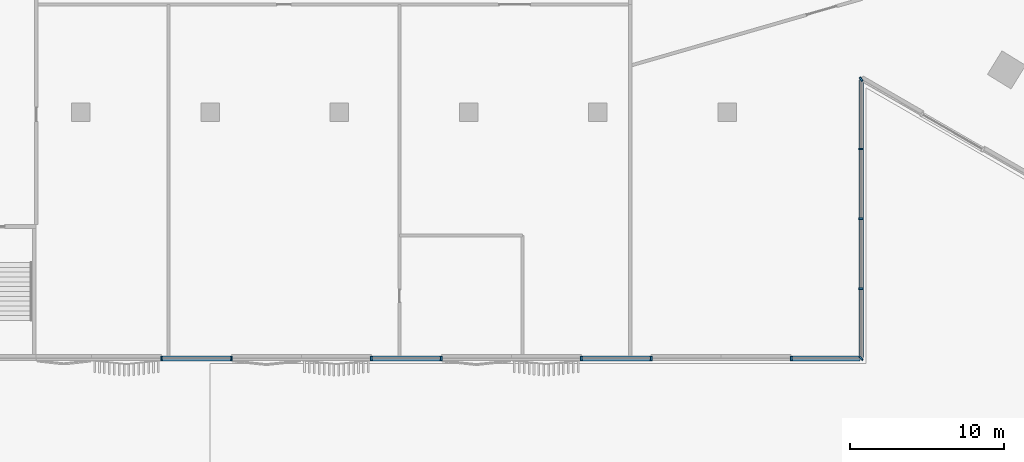
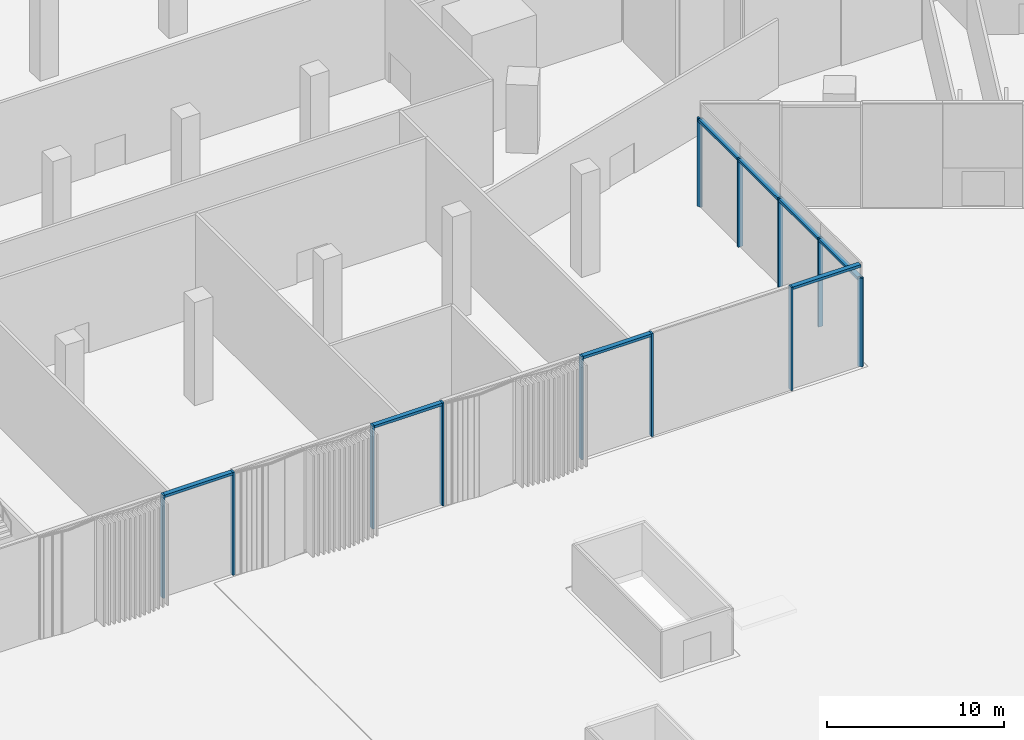
# One storey, part 2 of 41: 18 members, 2 elements without a shape of their own.
"""IFC4 building model written with IfcOpenShell, lengths in metres."""

from ifc_helpers import new_model, si_unit, direction, frame, origin, origin_2d, place, context, subcontext, project, spatial, rectangle, extrude, material, material_profile, profile_set, type_object, element, aggregate, save


model = new_model("IFC4")

# Units and contexts
model_context = context("Model", 3, precision=1e-05, world=origin(), true_north=direction((0.0, 1.0)))
body_context = subcontext(model_context, "Body", "Model", "MODEL_VIEW")
ifc_project = project(units=[si_unit("LENGTHUNIT", "METRE"), si_unit("AREAUNIT", "SQUARE_METRE"), si_unit("VOLUMEUNIT", "CUBIC_METRE"), si_unit("PLANEANGLEUNIT", "RADIAN"), si_unit("MASSUNIT", "GRAM", prefix="KILO")], contexts=[model_context])

# Site, building, storey
site_placement = place(None, origin())
site = spatial("IfcSite", under=ifc_project, at=site_placement, CompositionType="ELEMENT")
building_placement = place(site_placement, origin())
building = spatial("IfcBuilding", under=site, at=building_placement, Name="Tamra Quay Hotel Tower", CompositionType="ELEMENT")
storey_placement = place(building_placement, origin())
storey = spatial("IfcBuildingStorey", under=building, at=storey_placement, Name="L00", CompositionType="ELEMENT", Elevation=0.0)

# Curtain wall, members
ifc_material = material(Name="Aluminium 6063 anodised dark grey", Category="aluminium")
curtain_wall_type = type_object("IfcCurtainWallType", Name="CW4 CURTAIN WALL", PredefinedType="NOTDEFINED", material=ifc_material)
curtain_wall_1_placement = place(storey_placement, origin())
curtain_wall_1 = element("IfcCurtainWall", 1, at=curtain_wall_1_placement, inside=storey, type_object=curtain_wall_type, Name="CW4 east face L00", PredefinedType="NOTDEFINED")
ifc_material_profile_1 = material_profile(ifc_material, rectangle(XDim=0.300048828125, YDim=0.1201171875, at=origin_2d()), Name="MULLION 120X300")
ifc_profile_set_1 = profile_set([ifc_material_profile_1], Name="Aluminium 6063 anodised dark grey")
member_type_1 = type_object("IfcMemberType", Name="MULLION CW4", PredefinedType="MULLION", material=ifc_profile_set_1)
member_1_placement = place(storey_placement, frame((-30.0, -32.0, 0.0), z_axis=(0.0, 0.0, 1.0), x_axis=(0.707106781187, -0.707106781187, 0.0)))
member_1 = element("IfcMember", 2, at=member_1_placement, type_object=member_type_1, Name="CW4 mullion L00.E.1", PredefinedType="MULLION", context=body_context, shape_type="SweptSolid", body=[
    extrude(rectangle(XDim=0.300048828125, YDim=0.1201171875, at=origin_2d()), origin(), (0.0, 0.0, 1.0), 6.10009765625),
])
member_2_placement = place(storey_placement, frame((-30.0, -27.464111328125, 0.0), z_axis=(0.0, 0.0, 1.0), x_axis=(1.0, 0.0, 0.0)))
member_2 = element("IfcMember", 3, at=member_2_placement, type_object=member_type_1, Name="CW4 mullion L00.E.2", PredefinedType="MULLION", context=body_context, shape_type="SweptSolid", body=[
    extrude(rectangle(XDim=0.300048828125, YDim=0.1201171875, at=origin_2d()), origin(), (0.0, 0.0, 1.0), 6.10009765625),
])
member_3_placement = place(storey_placement, frame((-30.0, -22.92822265625, 0.0), z_axis=(0.0, 0.0, 1.0), x_axis=(1.0, 0.0, 0.0)))
member_3 = element("IfcMember", 4, at=member_3_placement, type_object=member_type_1, Name="CW4 mullion L00.E.3", PredefinedType="MULLION", context=body_context, shape_type="SweptSolid", body=[
    extrude(rectangle(XDim=0.300048828125, YDim=0.1201171875, at=origin_2d()), origin(), (0.0, 0.0, 1.0), 6.10009765625),
])
member_4_placement = place(storey_placement, frame((-30.0, -18.392333984375, 0.0), z_axis=(0.0, 0.0, 1.0), x_axis=(1.0, 0.0, 0.0)))
member_4 = element("IfcMember", 5, at=member_4_placement, type_object=member_type_1, Name="CW4 mullion L00.E.4", PredefinedType="MULLION", context=body_context, shape_type="SweptSolid", body=[
    extrude(rectangle(XDim=0.300048828125, YDim=0.1201171875, at=origin_2d()), origin(), (0.0, 0.0, 1.0), 6.10009765625),
])
member_5_placement = place(storey_placement, frame((-30.0, -13.8564453125, 0.0), z_axis=(0.0, 0.0, 1.0), x_axis=(0.5, -0.866025403784, 0.0)))
member_5 = element("IfcMember", 6, at=member_5_placement, type_object=member_type_1, Name="CW4 mullion L00.E.5", PredefinedType="MULLION", context=body_context, shape_type="SweptSolid", body=[
    extrude(rectangle(XDim=0.300048828125, YDim=0.1201171875, at=origin_2d()), origin(), (0.0, 0.0, 1.0), 6.10009765625),
])

curtain_wall_2_placement = place(storey_placement, origin())
curtain_wall_2 = element("IfcCurtainWall", 7, at=curtain_wall_2_placement, inside=storey, type_object=curtain_wall_type, Name="CW4 south-west face L00", PredefinedType="NOTDEFINED")
member_6_placement = place(storey_placement, frame((-75.46142578125, -32.0, 0.0), z_axis=(0.0, 0.0, 1.0), x_axis=(0.0, -1.0, 0.0)))
member_6 = element("IfcMember", 8, at=member_6_placement, type_object=member_type_1, Name="CW4 mullion L00.SW.5", PredefinedType="MULLION", context=body_context, shape_type="SweptSolid", body=[
    extrude(rectangle(XDim=0.300048828125, YDim=0.1201171875, at=origin_2d()), origin(), (0.0, 0.0, 1.0), 7.10009765625),
])
member_7_placement = place(storey_placement, frame((-70.915283203125, -32.0, 0.0), z_axis=(0.0, 0.0, 1.0), x_axis=(0.0, -1.0, 0.0)))
member_7 = element("IfcMember", 9, at=member_7_placement, type_object=member_type_1, Name="CW4 mullion L00.SW.6", PredefinedType="MULLION", context=body_context, shape_type="SweptSolid", body=[
    extrude(rectangle(XDim=0.300048828125, YDim=0.1201171875, at=origin_2d()), origin(), (0.0, 0.0, 1.0), 7.10009765625),
])
member_8_placement = place(storey_placement, frame((-61.822998046875, -32.0, 0.0), z_axis=(0.0, 0.0, 1.0), x_axis=(0.0, -1.0, 0.0)))
member_8 = element("IfcMember", 10, at=member_8_placement, type_object=member_type_1, Name="CW4 mullion L00.SW.6", PredefinedType="MULLION", context=body_context, shape_type="SweptSolid", body=[
    extrude(rectangle(XDim=0.300048828125, YDim=0.1201171875, at=origin_2d()), origin(), (0.0, 0.0, 1.0), 7.10009765625),
])
member_9_placement = place(storey_placement, frame((-57.27685546875, -32.0, 0.0), z_axis=(0.0, 0.0, 1.0), x_axis=(0.0, -1.0, 0.0)))
member_9 = element("IfcMember", 11, at=member_9_placement, type_object=member_type_1, Name="CW4 mullion L00.SW.7", PredefinedType="MULLION", context=body_context, shape_type="SweptSolid", body=[
    extrude(rectangle(XDim=0.300048828125, YDim=0.1201171875, at=origin_2d()), origin(), (0.0, 0.0, 1.0), 7.10009765625),
])
member_10_placement = place(storey_placement, frame((-48.1845703125, -32.0, 0.0), z_axis=(0.0, 0.0, 1.0), x_axis=(0.0, -1.0, 0.0)))
member_10 = element("IfcMember", 12, at=member_10_placement, type_object=member_type_1, Name="CW4 mullion L00.SW.7", PredefinedType="MULLION", context=body_context, shape_type="SweptSolid", body=[
    extrude(rectangle(XDim=0.300048828125, YDim=0.1201171875, at=origin_2d()), origin(), (0.0, 0.0, 1.0), 7.10009765625),
])
member_11_placement = place(storey_placement, frame((-43.638427734375, -32.0, 0.0), z_axis=(0.0, 0.0, 1.0), x_axis=(0.0, -1.0, 0.0)))
member_11 = element("IfcMember", 13, at=member_11_placement, type_object=member_type_1, Name="CW4 mullion L00.SW.8", PredefinedType="MULLION", context=body_context, shape_type="SweptSolid", body=[
    extrude(rectangle(XDim=0.300048828125, YDim=0.1201171875, at=origin_2d()), origin(), (0.0, 0.0, 1.0), 7.10009765625),
])
member_12_placement = place(storey_placement, frame((-34.546142578125, -32.0, 0.0), z_axis=(0.0, 0.0, 1.0), x_axis=(0.0, -1.0, 0.0)))
member_12 = element("IfcMember", 14, at=member_12_placement, type_object=member_type_1, Name="CW4 mullion L00.SW.8", PredefinedType="MULLION", context=body_context, shape_type="SweptSolid", body=[
    extrude(rectangle(XDim=0.300048828125, YDim=0.1201171875, at=origin_2d()), origin(), (0.0, 0.0, 1.0), 7.10009765625),
])

# Member
ifc_material_profile_2 = material_profile(ifc_material, rectangle(XDim=0.300048828125, YDim=0.179931640625, at=origin_2d()), Name="TRANSOM 300X180")
ifc_profile_set_2 = profile_set([ifc_material_profile_2], Name="Aluminium 6063 anodised dark grey")
member_type_2 = type_object("IfcMemberType", Name="TRANSOM CW4", PredefinedType="USERDEFINED", material=ifc_profile_set_2)
member_13_placement = place(storey_placement, frame((-30.0, -31.93994140625, 6.010009765625), z_axis=(0.0, 1.0, 0.0), x_axis=(-1.0, 0.0, 0.0)))
member_13 = element("IfcMember", 15, at=member_13_placement, type_object=member_type_2, Name="CW4 transom L00.E.1", ObjectType="TRANSOM", PredefinedType="USERDEFINED", context=body_context, shape_type="SweptSolid", body=[
    extrude(rectangle(XDim=0.300048828125, YDim=0.179931640625, at=origin_2d()), origin(), (0.0, 0.0, 1.0), 13.487548828125),
])

member_14_placement = place(storey_placement, frame((-30.0, -18.332275390625, 6.010009765625), z_axis=(0.0, 1.0, 0.0), x_axis=(-1.0, 0.0, 0.0)))
member_14 = element("IfcMember", 16, at=member_14_placement, type_object=member_type_2, Name="CW4 transom L00.E.4", ObjectType="TRANSOM", PredefinedType="USERDEFINED", context=body_context, shape_type="SweptSolid", body=[
    extrude(rectangle(XDim=0.300048828125, YDim=0.179931640625, at=origin_2d()), origin(), (0.0, 0.0, 1.0), 4.415771484375),
])

aggregate(curtain_wall_1, [member_1, member_13, member_2, member_3, member_4, member_14, member_5])

member_15_placement = place(storey_placement, frame((-75.401611328125, -32.0, 7.010009765625), z_axis=(1.0, 0.0, 0.0), x_axis=(0.0, 1.0, 0.0)))
member_15 = element("IfcMember", 17, at=member_15_placement, type_object=member_type_2, Name="CW4 transom L00.SW.5", ObjectType="TRANSOM", PredefinedType="USERDEFINED", context=body_context, shape_type="SweptSolid", body=[
    extrude(rectangle(XDim=0.300048828125, YDim=0.179931640625, at=origin_2d()), origin(), (0.0, 0.0, 1.0), 4.42626953125),
])

member_16_placement = place(storey_placement, frame((-61.76318359375, -32.0, 7.010009765625), z_axis=(1.0, 0.0, 0.0), x_axis=(0.0, 1.0, 0.0)))
member_16 = element("IfcMember", 18, at=member_16_placement, type_object=member_type_2, Name="CW4 transom L00.SW.6", ObjectType="TRANSOM", PredefinedType="USERDEFINED", context=body_context, shape_type="SweptSolid", body=[
    extrude(rectangle(XDim=0.300048828125, YDim=0.179931640625, at=origin_2d()), origin(), (0.0, 0.0, 1.0), 4.42626953125),
])

member_17_placement = place(storey_placement, frame((-48.12451171875, -32.0, 7.010009765625), z_axis=(1.0, 0.0, 0.0), x_axis=(0.0, 1.0, 0.0)))
member_17 = element("IfcMember", 19, at=member_17_placement, type_object=member_type_2, Name="CW4 transom L00.SW.7", ObjectType="TRANSOM", PredefinedType="USERDEFINED", context=body_context, shape_type="SweptSolid", body=[
    extrude(rectangle(XDim=0.300048828125, YDim=0.179931640625, at=origin_2d()), origin(), (0.0, 0.0, 1.0), 4.426025390625),
])

member_18_placement = place(storey_placement, frame((-34.486083984375, -32.0, 7.010009765625), z_axis=(1.0, 0.0, 0.0), x_axis=(0.0, 1.0, 0.0)))
member_18 = element("IfcMember", 20, at=member_18_placement, type_object=member_type_2, Name="CW4 transom L00.SW.8", ObjectType="TRANSOM", PredefinedType="USERDEFINED", context=body_context, shape_type="SweptSolid", body=[
    extrude(rectangle(XDim=0.300048828125, YDim=0.179931640625, at=origin_2d()), origin(), (0.0, 0.0, 1.0), 4.426025390625),
])

aggregate(curtain_wall_2, [member_6, member_15, member_7, member_8, member_16, member_9, member_10, member_17, member_11, member_12, member_18])

save(model, "model.ifc")
